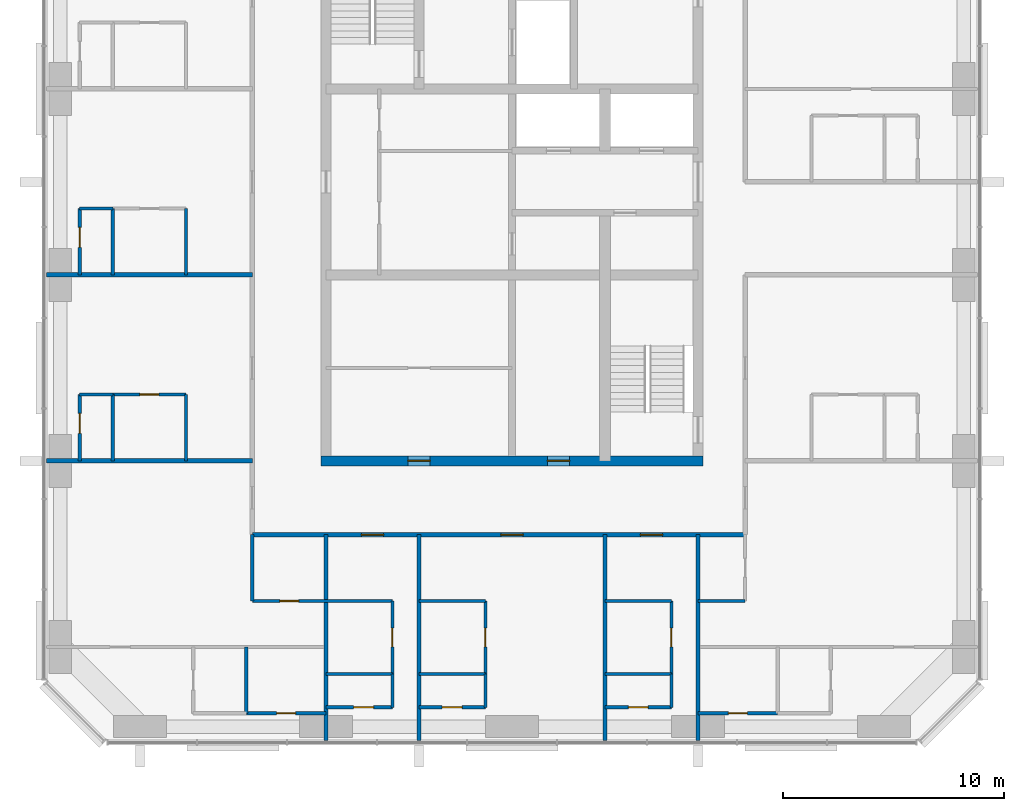
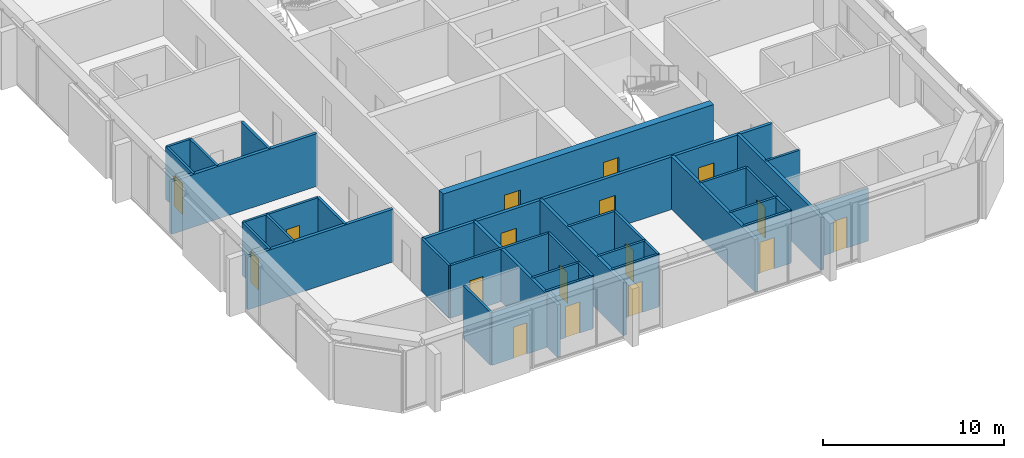
# One storey, part 7 of 12: 37 walls, 17 doors, 17 openings.
"""IFC4 building model written with IfcOpenShell, lengths in metres."""

from ifc_helpers import new_model, si_unit, direction, frame, frame_2d, origin, place, context, subcontext, project, spatial, rectangle, extrude, material, layer, layer_set, type_object, element, fill, save


model = new_model("IFC4")

# Units and contexts
model_context = context("Model", 3, precision=1e-05, world=origin(), true_north=direction((0.0, 1.0)))
body_context = subcontext(model_context, "Body", "Model", "MODEL_VIEW")
ifc_project = project(units=[si_unit("LENGTHUNIT", "METRE"), si_unit("AREAUNIT", "SQUARE_METRE"), si_unit("VOLUMEUNIT", "CUBIC_METRE"), si_unit("PLANEANGLEUNIT", "RADIAN"), si_unit("MASSUNIT", "GRAM", prefix="KILO")], contexts=[model_context])

# Site, building, storey
site_placement = place(None, origin())
site = spatial("IfcSite", under=ifc_project, at=site_placement, CompositionType="ELEMENT")
building_placement = place(site_placement, origin())
building = spatial("IfcBuilding", under=site, at=building_placement, Name="Dunama Terrace Hotel", CompositionType="ELEMENT")
storey_placement = place(building_placement, frame((0.0, 0.0, 245.10009765625)))
storey = spatial("IfcBuildingStorey", under=building, at=storey_placement, Name="L63", CompositionType="ELEMENT", Elevation=245.10009765625)

# Walls
ifc_material_1 = material(Name="Gypsum board partition", Category="masonry")
ifc_layer_1 = layer(ifc_material_1, 0.14990234375)
ifc_layer_set_1 = layer_set([ifc_layer_1], Name="Bathroom partition 150")
wall_type_1 = type_object("IfcWallType", Name="Bathroom partition 150", PredefinedType="PARTITIONING", material=ifc_layer_set_1)
for number, where, z_axis, x_axis, name in (
    (1, (18.875, 16.800048828125, 0.0), (0.0, 0.0, 1.0), (0.0, 1.0, 0.0), "Bathroom partition 150 L63"),
    (2, (18.875, 25.199951171875, 0.0), (0.0, 0.0, 1.0), (0.0, 1.0, 0.0), "Bathroom partition 150 L63"),
    (3, (21.875, 10.47509765625, 0.0), (0.0, 0.0, 1.0), (0.0, 1.0, 0.0), "Bathroom partition 150 L63"),
):
    element("IfcWall", number, at=place(storey_placement, frame(where, z_axis=z_axis, x_axis=x_axis)), inside=storey, type_object=wall_type_1, Name=name, PredefinedType="PARTITIONING", context=body_context, shape_type="SweptSolid", body=[
        extrude(rectangle(XDim=3.0, YDim=0.14990234375, at=frame_2d((1.5, 0.0))), origin(), (0.0, 0.0, 1.0), 3.5498046875),
    ])

# Wall, opening, door
wall_1_placement = place(storey_placement, frame((28.199951171875, 7.175048828125, 0.0), z_axis=(0.0, 0.0, 1.0), x_axis=(0.0, 1.0, 0.0)))
wall_1 = element("IfcWall", 4, at=wall_1_placement, inside=storey, type_object=wall_type_1, Name="Bathroom partition 150 L63", PredefinedType="PARTITIONING", context=body_context, shape_type="SweptSolid", body=[
    extrude(rectangle(XDim=3.300048828125, YDim=0.14990234375, at=frame_2d((1.64990234375, 0.0))), origin(), (0.0, 0.0, 1.0), 3.5498046875),
])
opening_1_placement = place(wall_1_placement, frame((1.22509765625, 0.0, 0.0)))
opening_1 = element("IfcOpeningElement", 5, at=opening_1_placement, cuts=wall_1, Name="Opening L62-64-008", PredefinedType="OPENING", context=body_context, shape_type="SweptSolid", body=[
    extrude(rectangle(XDim=0.85009765625, YDim=2.10009765625, at=frame_2d((0.425048828125, 1.050048828125))), frame((0.0, 0.0849609375, 0.0), z_axis=(0.0, -1.0, 0.0), x_axis=(1.0, 0.0, 0.0)), (0.0, 0.0, 1.0), 0.169921875),
])
ifc_material_2 = material(Name="Timber door with steel frame", Category="steel")
door_type_1 = type_object("IfcDoorType", Name="Bathroom door 850", OperationType="SINGLE_SWING_LEFT", PredefinedType="DOOR", material=ifc_material_2)
door_1_placement = place(opening_1_placement, origin())
door_1 = element("IfcDoor", 6, at=door_1_placement, inside=storey, type_object=door_type_1, Name="Door to en-suite bathroom L62-64-008, type D2", OperationType="SINGLE_SWING_LEFT", OverallHeight=2.10009765625, OverallWidth=0.85009765625, PredefinedType="DOOR", context=body_context, shape_type="SweptSolid", body=[
    extrude(rectangle(XDim=0.85009765625, YDim=2.10009765625, at=frame_2d((0.425048828125, 1.050048828125))), frame((0.0, 0.02490234375, 0.0), z_axis=(0.0, -1.0, 0.0), x_axis=(1.0, 0.0, 0.0)), (0.0, 0.0, 1.0), 0.050048828125),
])
fill(opening_1, door_1)

wall_2_placement = place(storey_placement, frame((32.39990234375, 7.175048828125, 0.0), z_axis=(0.0, 0.0, 1.0), x_axis=(0.0, 1.0, 0.0)))
wall_2 = element("IfcWall", 7, at=wall_2_placement, inside=storey, type_object=wall_type_1, Name="Bathroom partition 150 L63", PredefinedType="PARTITIONING", context=body_context, shape_type="SweptSolid", body=[
    extrude(rectangle(XDim=3.300048828125, YDim=0.14990234375, at=frame_2d((1.64990234375, 0.0))), origin(), (0.0, 0.0, 1.0), 3.5498046875),
])
opening_2_placement = place(wall_2_placement, frame((1.22509765625, 0.0, 0.0)))
opening_2 = element("IfcOpeningElement", 8, at=opening_2_placement, cuts=wall_2, Name="Opening L62-64-011", PredefinedType="OPENING", context=body_context, shape_type="SweptSolid", body=[
    extrude(rectangle(XDim=0.85009765625, YDim=2.10009765625, at=frame_2d((0.425048828125, 1.050048828125))), frame((0.0, 0.0849609375, 0.0), z_axis=(0.0, -1.0, 0.0), x_axis=(1.0, 0.0, 0.0)), (0.0, 0.0, 1.0), 0.169921875),
])
door_2_placement = place(opening_2_placement, origin())
door_2 = element("IfcDoor", 9, at=door_2_placement, inside=storey, type_object=door_type_1, Name="Door to en-suite bathroom L62-64-011, type D2", OperationType="SINGLE_SWING_LEFT", OverallHeight=2.10009765625, OverallWidth=0.85009765625, PredefinedType="DOOR", context=body_context, shape_type="SweptSolid", body=[
    extrude(rectangle(XDim=0.85009765625, YDim=2.10009765625, at=frame_2d((0.425048828125, 1.050048828125))), frame((0.0, 0.02490234375, 0.0), z_axis=(0.0, -1.0, 0.0), x_axis=(1.0, 0.0, 0.0)), (0.0, 0.0, 1.0), 0.050048828125),
])
fill(opening_2, door_2)

wall_3_placement = place(storey_placement, frame((40.800048828125, 7.175048828125, 0.0), z_axis=(0.0, 0.0, 1.0), x_axis=(0.0, 1.0, 0.0)))
wall_3 = element("IfcWall", 10, at=wall_3_placement, inside=storey, type_object=wall_type_1, Name="Bathroom partition 150 L63", PredefinedType="PARTITIONING", context=body_context, shape_type="SweptSolid", body=[
    extrude(rectangle(XDim=3.300048828125, YDim=0.14990234375, at=frame_2d((1.64990234375, 0.0))), origin(), (0.0, 0.0, 1.0), 3.5498046875),
])
opening_3_placement = place(wall_3_placement, frame((1.22509765625, 0.0, 0.0)))
opening_3 = element("IfcOpeningElement", 11, at=opening_3_placement, cuts=wall_3, Name="Opening L62-64-014", PredefinedType="OPENING", context=body_context, shape_type="SweptSolid", body=[
    extrude(rectangle(XDim=0.85009765625, YDim=2.10009765625, at=frame_2d((0.425048828125, 1.050048828125))), frame((0.0, 0.0849609375, 0.0), z_axis=(0.0, -1.0, 0.0), x_axis=(1.0, 0.0, 0.0)), (0.0, 0.0, 1.0), 0.169921875),
])
door_3_placement = place(opening_3_placement, origin())
door_3 = element("IfcDoor", 12, at=door_3_placement, inside=storey, type_object=door_type_1, Name="Door to en-suite bathroom L62-64-014, type D2", OperationType="SINGLE_SWING_LEFT", OverallHeight=2.10009765625, OverallWidth=0.85009765625, PredefinedType="DOOR", context=body_context, shape_type="SweptSolid", body=[
    extrude(rectangle(XDim=0.85009765625, YDim=2.10009765625, at=frame_2d((0.425048828125, 1.050048828125))), frame((0.0, 0.02490234375, 0.0), z_axis=(0.0, -1.0, 0.0), x_axis=(1.0, 0.0, 0.0)), (0.0, 0.0, 1.0), 0.050048828125),
])
fill(opening_3, door_3)

wall_4_placement = place(storey_placement, frame((21.60009765625, 5.39990234375, 0.0), z_axis=(0.0, 0.0, 1.0), x_axis=(1.0, 0.0, 0.0)))
wall_4 = element("IfcWall", 13, at=wall_4_placement, inside=storey, type_object=wall_type_1, Name="Bathroom partition 150 L63", PredefinedType="PARTITIONING", context=body_context, shape_type="SweptSolid", body=[
    extrude(rectangle(XDim=3.599853515625, YDim=0.14990234375, at=frame_2d((1.7998046875, 0.0))), origin(), (0.0, 0.0, 1.0), 3.5498046875),
])
opening_4_placement = place(wall_4_placement, frame((1.375, 0.0, 0.0)))
opening_4 = element("IfcOpeningElement", 14, at=opening_4_placement, cuts=wall_4, Name="Opening L62-64-044", PredefinedType="OPENING", context=body_context, shape_type="SweptSolid", body=[
    extrude(rectangle(XDim=0.85009765625, YDim=2.10009765625, at=frame_2d((0.425048828125, 1.050048828125))), frame((0.0, 0.0849609375, 0.0), z_axis=(0.0, -1.0, 0.0), x_axis=(1.0, 0.0, 0.0)), (0.0, 0.0, 1.0), 0.169921875),
])
door_4_placement = place(opening_4_placement, origin())
door_4 = element("IfcDoor", 15, at=door_4_placement, inside=storey, type_object=door_type_1, Name="Door to en-suite bathroom L62-64-044, type D2", OperationType="SINGLE_SWING_RIGHT", OverallHeight=2.10009765625, OverallWidth=0.85009765625, PredefinedType="DOOR", context=body_context, shape_type="SweptSolid", body=[
    extrude(rectangle(XDim=0.85009765625, YDim=2.10009765625, at=frame_2d((0.425048828125, 1.050048828125))), frame((0.0, 0.02490234375, 0.0), z_axis=(0.0, -1.0, 0.0), x_axis=(1.0, 0.0, 0.0)), (0.0, 0.0, 1.0), 0.050048828125),
])
fill(opening_4, door_4)

wall_5_placement = place(storey_placement, frame((42.0, 5.39990234375, 0.0), z_axis=(0.0, 0.0, 1.0), x_axis=(1.0, 0.0, 0.0)))
wall_5 = element("IfcWall", 16, at=wall_5_placement, inside=storey, type_object=wall_type_1, Name="Bathroom partition 150 L63", PredefinedType="PARTITIONING", context=body_context, shape_type="SweptSolid", body=[
    extrude(rectangle(XDim=3.60009765625, YDim=0.14990234375, at=frame_2d((1.800048828125, 0.0))), origin(), (0.0, 0.0, 1.0), 3.5498046875),
])
opening_5_placement = place(wall_5_placement, frame((1.375, 0.0, 0.0)))
opening_5 = element("IfcOpeningElement", 17, at=opening_5_placement, cuts=wall_5, Name="Opening L62-64-049", PredefinedType="OPENING", context=body_context, shape_type="SweptSolid", body=[
    extrude(rectangle(XDim=0.85009765625, YDim=2.10009765625, at=frame_2d((0.425048828125, 1.050048828125))), frame((0.0, 0.0849609375, 0.0), z_axis=(0.0, -1.0, 0.0), x_axis=(1.0, 0.0, 0.0)), (0.0, 0.0, 1.0), 0.169921875),
])
door_5_placement = place(opening_5_placement, origin())
door_5 = element("IfcDoor", 18, at=door_5_placement, inside=storey, type_object=door_type_1, Name="Door to en-suite bathroom L62-64-049, type D2", OperationType="SINGLE_SWING_LEFT", OverallHeight=2.10009765625, OverallWidth=0.85009765625, PredefinedType="DOOR", context=body_context, shape_type="SweptSolid", body=[
    extrude(rectangle(XDim=0.85009765625, YDim=2.10009765625, at=frame_2d((0.425048828125, 1.050048828125))), frame((0.0, 0.02490234375, 0.0), z_axis=(0.0, -1.0, 0.0), x_axis=(1.0, 0.0, 0.0)), (0.0, 0.0, 1.0), 0.050048828125),
])
fill(opening_5, door_5)

wall_6_placement = place(storey_placement, frame((21.875, 10.47509765625, 0.0), z_axis=(0.0, 0.0, 1.0), x_axis=(1.0, 0.0, 0.0)))
wall_6 = element("IfcWall", 19, at=wall_6_placement, inside=storey, type_object=wall_type_1, Name="Bathroom partition 150 L63", PredefinedType="PARTITIONING", context=body_context, shape_type="SweptSolid", body=[
    extrude(rectangle(XDim=6.324951171875, YDim=0.14990234375, at=frame_2d((3.16259765625, 0.0))), origin(), (0.0, 0.0, 1.0), 3.5498046875),
])
opening_6_placement = place(wall_6_placement, frame((1.238037109375, 0.0, 0.0)))
opening_6 = element("IfcOpeningElement", 20, at=opening_6_placement, cuts=wall_6, Name="Opening L62-64-042", PredefinedType="OPENING", context=body_context, shape_type="SweptSolid", body=[
    extrude(rectangle(XDim=0.85009765625, YDim=2.10009765625, at=frame_2d((0.425048828125, 1.050048828125))), frame((0.0, 0.0849609375, 0.0), z_axis=(0.0, -1.0, 0.0), x_axis=(1.0, 0.0, 0.0)), (0.0, 0.0, 1.0), 0.169921875),
])
door_6_placement = place(opening_6_placement, origin())
door_6 = element("IfcDoor", 21, at=door_6_placement, inside=storey, type_object=door_type_1, Name="Door to powder room L62-64-042, type D2", OperationType="SINGLE_SWING_RIGHT", OverallHeight=2.10009765625, OverallWidth=0.85009765625, PredefinedType="DOOR", context=body_context, shape_type="SweptSolid", body=[
    extrude(rectangle(XDim=0.85009765625, YDim=2.10009765625, at=frame_2d((0.425048828125, 1.050048828125))), frame((0.0, 0.02490234375, 0.0), z_axis=(0.0, -1.0, 0.0), x_axis=(1.0, 0.0, 0.0)), (0.0, 0.0, 1.0), 0.050048828125),
])
fill(opening_6, door_6)

# Walls
for number, where, z_axis, x_axis, name in (
    (22, (29.39990234375, 10.47509765625, 0.0), (0.0, 0.0, 1.0), (1.0, 0.0, 0.0), "Bathroom partition 150 L63"),
    (23, (37.800048828125, 10.47509765625, 0.0), (0.0, 0.0, 1.0), (1.0, 0.0, 0.0), "Bathroom partition 150 L63"),
):
    element("IfcWall", number, at=place(storey_placement, frame(where, z_axis=z_axis, x_axis=x_axis)), inside=storey, type_object=wall_type_1, Name=name, PredefinedType="PARTITIONING", context=body_context, shape_type="SweptSolid", body=[
        extrude(rectangle(XDim=3.0, YDim=0.14990234375, at=frame_2d((1.5, 0.0))), origin(), (0.0, 0.0, 1.0), 3.5498046875),
    ])
wall_7_placement = place(storey_placement, frame((42.0, 10.47509765625, 0.0), z_axis=(0.0, 0.0, 1.0), x_axis=(1.0, 0.0, 0.0)))
element("IfcWall", 24, at=wall_7_placement, inside=storey, type_object=wall_type_1, Name="Bathroom partition 150 L63", PredefinedType="PARTITIONING", context=body_context, shape_type="SweptSolid", body=[
    extrude(rectangle(XDim=2.125, YDim=0.14990234375, at=frame_2d((1.0625, 0.0))), origin(), (0.0, 0.0, 1.0), 3.5498046875),
])

# Wall, opening, door
wall_8_placement = place(storey_placement, frame((15.574951171875, 19.800048828125, 0.0), z_axis=(0.0, 0.0, 1.0), x_axis=(1.0, 0.0, 0.0)))
wall_8 = element("IfcWall", 25, at=wall_8_placement, inside=storey, type_object=wall_type_1, Name="Bathroom partition 150 L63", PredefinedType="PARTITIONING", context=body_context, shape_type="SweptSolid", body=[
    extrude(rectangle(XDim=3.300048828125, YDim=0.14990234375, at=frame_2d((1.64990234375, 0.0))), origin(), (0.0, 0.0, 1.0), 3.5498046875),
])
opening_7_placement = place(wall_8_placement, frame((1.22509765625, 0.0, 0.0)))
opening_7 = element("IfcOpeningElement", 26, at=opening_7_placement, cuts=wall_8, Name="Opening L62-64-033", PredefinedType="OPENING", context=body_context, shape_type="SweptSolid", body=[
    extrude(rectangle(XDim=0.85009765625, YDim=2.10009765625, at=frame_2d((0.425048828125, 1.050048828125))), frame((0.0, 0.0849609375, 0.0), z_axis=(0.0, -1.0, 0.0), x_axis=(1.0, 0.0, 0.0)), (0.0, 0.0, 1.0), 0.169921875),
])
door_7_placement = place(opening_7_placement, frame((0.85009765625, 0.0, 0.0), z_axis=(0.0, 0.0, 1.0), x_axis=(-1.0, 0.0, 0.0)))
door_7 = element("IfcDoor", 27, at=door_7_placement, inside=storey, type_object=door_type_1, Name="Door to en-suite bathroom L62-64-033, type D2", OperationType="SINGLE_SWING_LEFT", OverallHeight=2.10009765625, OverallWidth=0.85009765625, PredefinedType="DOOR", context=body_context, shape_type="SweptSolid", body=[
    extrude(rectangle(XDim=0.85009765625, YDim=2.10009765625, at=frame_2d((0.425048828125, 1.050048828125))), frame((0.0, 0.025146484375, 0.0), z_axis=(0.0, -1.0, 0.0), x_axis=(1.0, 0.0, 0.0)), (0.0, 0.0, 1.0), 0.050048828125),
])
fill(opening_7, door_7)

# Wall, openings, doors
ifc_material_3 = material(Name="Concrete C50/60", Category="concrete")
ifc_layer_2 = layer(ifc_material_3, 0.449951171875)
ifc_layer_set_2 = layer_set([ifc_layer_2], Name="Core wall 450")
wall_type_2 = type_object("IfcWallType", Name="Core wall 450", PredefinedType="SHEAR", material=ifc_layer_set_2)
wall_9_placement = place(storey_placement, frame((24.97509765625, 16.800048828125, -0.35009765625), z_axis=(0.0, 0.0, 1.0), x_axis=(1.0, 0.0, 0.0)))
wall_9 = element("IfcWall", 28, at=wall_9_placement, inside=storey, type_object=wall_type_2, Name="Core wall south L63", PredefinedType="SHEAR", context=body_context, shape_type="SweptSolid", body=[
    extrude(rectangle(XDim=17.25, YDim=0.449951171875, at=frame_2d((8.625, 0.0))), origin(), (0.0, 0.0, 1.0), 3.89990234375),
])
opening_8_placement = place(wall_9_placement, frame((3.925048828125, 0.0, 0.35009765625)))
opening_8 = element("IfcOpeningElement", 29, at=opening_8_placement, cuts=wall_9, Name="Opening L62-64-069", PredefinedType="OPENING", context=body_context, shape_type="SweptSolid", body=[
    extrude(rectangle(XDim=1.0, YDim=2.10009765625, at=frame_2d((0.5, 1.050048828125))), frame((0.0, 0.23486328125, 0.0), z_axis=(0.0, -1.0, 0.0), x_axis=(1.0, 0.0, 0.0)), (0.0, 0.0, 1.0), 0.469970703125),
])
opening_9_placement = place(wall_9_placement, frame((10.22509765625, 0.0, 0.35009765625)))
opening_9 = element("IfcOpeningElement", 30, at=opening_9_placement, cuts=wall_9, Name="Opening L62-64-071", PredefinedType="OPENING", context=body_context, shape_type="SweptSolid", body=[
    extrude(rectangle(XDim=1.0, YDim=2.10009765625, at=frame_2d((0.5, 1.050048828125))), frame((0.0, 0.23486328125, 0.0), z_axis=(0.0, -1.0, 0.0), x_axis=(1.0, 0.0, 0.0)), (0.0, 0.0, 1.0), 0.469970703125),
])
ifc_material_4 = material(Name="Timber door with steel frame", Category="steel")
door_type_2 = type_object("IfcDoorType", Name="Service door 1000", OperationType="SINGLE_SWING_LEFT", PredefinedType="DOOR", material=ifc_material_4)
door_8_placement = place(opening_8_placement, origin())
door_8 = element("IfcDoor", 31, at=door_8_placement, inside=storey, type_object=door_type_2, Name="Door to corridor air handling room L62-64-069, type D7", OperationType="SINGLE_SWING_LEFT", OverallHeight=2.10009765625, OverallWidth=1.0, PredefinedType="DOOR", context=body_context, shape_type="SweptSolid", body=[
    extrude(rectangle(XDim=1.0, YDim=2.10009765625, at=frame_2d((0.5, 1.050048828125))), frame((0.0, 0.02490234375, 0.0), z_axis=(0.0, -1.0, 0.0), x_axis=(1.0, 0.0, 0.0)), (0.0, 0.0, 1.0), 0.050048828125),
])
fill(opening_8, door_8)
door_9_placement = place(opening_9_placement, origin())
door_9 = element("IfcDoor", 32, at=door_9_placement, inside=storey, type_object=door_type_2, Name="Door to water riser room L62-64-071, type D7", OperationType="SINGLE_SWING_RIGHT", OverallHeight=2.10009765625, OverallWidth=1.0, PredefinedType="DOOR", context=body_context, shape_type="SweptSolid", body=[
    extrude(rectangle(XDim=1.0, YDim=2.10009765625, at=frame_2d((0.5, 1.050048828125))), frame((0.0, 0.02490234375, 0.0), z_axis=(0.0, -1.0, 0.0), x_axis=(1.0, 0.0, 0.0)), (0.0, 0.0, 1.0), 0.050048828125),
])
fill(opening_9, door_9)

ifc_material_5 = material(Name="Concrete blockwork", Category="masonry")
ifc_layer_3 = layer(ifc_material_5, 0.199951171875)
ifc_layer_set_3 = layer_set([ifc_layer_3], Name="Corridor partition 200")
wall_type_3 = type_object("IfcWallType", Name="Corridor partition 200", PredefinedType="PARTITIONING", material=ifc_layer_set_3)
wall_10_placement = place(storey_placement, frame((44.125, 13.47509765625, 0.0), z_axis=(0.0, 0.0, 1.0), x_axis=(-1.0, 0.0, 0.0)))
wall_10 = element("IfcWall", 33, at=wall_10_placement, inside=storey, type_object=wall_type_3, Name="Corridor partition 200 L63", PredefinedType="PARTITIONING", context=body_context, shape_type="SweptSolid", body=[
    extrude(rectangle(XDim=22.25, YDim=0.199951171875, at=frame_2d((11.125, 0.0))), origin(), (0.0, 0.0, 1.0), 3.5498046875),
])
opening_10_placement = place(wall_10_placement, frame((16.324951171875, 0.0, 0.0)))
opening_10 = element("IfcOpeningElement", 34, at=opening_10_placement, cuts=wall_10, Name="Opening L62-64-007", PredefinedType="OPENING", context=body_context, shape_type="SweptSolid", body=[
    extrude(rectangle(XDim=1.0, YDim=2.199951171875, at=frame_2d((0.5, 1.10009765625))), frame((0.0, 0.10986328125, 0.0), z_axis=(0.0, -1.0, 0.0), x_axis=(1.0, 0.0, 0.0)), (0.0, 0.0, 1.0), 0.219970703125),
])
opening_11_placement = place(wall_10_placement, frame((10.02490234375, 0.0, 0.0)))
opening_11 = element("IfcOpeningElement", 35, at=opening_11_placement, cuts=wall_10, Name="Opening L62-64-010", PredefinedType="OPENING", context=body_context, shape_type="SweptSolid", body=[
    extrude(rectangle(XDim=1.0, YDim=2.199951171875, at=frame_2d((0.5, 1.10009765625))), frame((0.0, 0.10986328125, 0.0), z_axis=(0.0, -1.0, 0.0), x_axis=(1.0, 0.0, 0.0)), (0.0, 0.0, 1.0), 0.219970703125),
])
opening_12_placement = place(wall_10_placement, frame((3.72509765625, 0.0, 0.0)))
opening_12 = element("IfcOpeningElement", 36, at=opening_12_placement, cuts=wall_10, Name="Opening L62-64-013", PredefinedType="OPENING", context=body_context, shape_type="SweptSolid", body=[
    extrude(rectangle(XDim=1.0, YDim=2.199951171875, at=frame_2d((0.5, 1.10009765625))), frame((0.0, 0.10986328125, 0.0), z_axis=(0.0, -1.0, 0.0), x_axis=(1.0, 0.0, 0.0)), (0.0, 0.0, 1.0), 0.219970703125),
])
ifc_material_6 = material(Name="Timber door with steel frame", Category="steel")
door_type_3 = type_object("IfcDoorType", Name="Guest room door 1000", OperationType="SINGLE_SWING_LEFT", PredefinedType="DOOR", material=ifc_material_6)
door_10_placement = place(opening_10_placement, origin())
door_10 = element("IfcDoor", 37, at=door_10_placement, inside=storey, type_object=door_type_3, Name="Door to studio suite L62-64-007, type D1", OperationType="SINGLE_SWING_LEFT", OverallHeight=2.199951171875, OverallWidth=1.0, PredefinedType="DOOR", context=body_context, shape_type="SweptSolid", body=[
    extrude(rectangle(XDim=1.0, YDim=2.199951171875, at=frame_2d((0.5, 1.10009765625))), frame((0.0, 0.02490234375, 0.0), z_axis=(0.0, -1.0, 0.0), x_axis=(1.0, 0.0, 0.0)), (0.0, 0.0, 1.0), 0.050048828125),
])
fill(opening_10, door_10)
door_11_placement = place(opening_11_placement, origin())
door_11 = element("IfcDoor", 38, at=door_11_placement, inside=storey, type_object=door_type_3, Name="Door to junior suite L62-64-010, type D1", OperationType="SINGLE_SWING_RIGHT", OverallHeight=2.199951171875, OverallWidth=1.0, PredefinedType="DOOR", context=body_context, shape_type="SweptSolid", body=[
    extrude(rectangle(XDim=1.0, YDim=2.199951171875, at=frame_2d((0.5, 1.10009765625))), frame((0.0, 0.02490234375, 0.0), z_axis=(0.0, -1.0, 0.0), x_axis=(1.0, 0.0, 0.0)), (0.0, 0.0, 1.0), 0.050048828125),
])
fill(opening_11, door_11)
door_12_placement = place(opening_12_placement, origin())
door_12 = element("IfcDoor", 39, at=door_12_placement, inside=storey, type_object=door_type_3, Name="Door to studio suite L62-64-013, type D1", OperationType="SINGLE_SWING_LEFT", OverallHeight=2.199951171875, OverallWidth=1.0, PredefinedType="DOOR", context=body_context, shape_type="SweptSolid", body=[
    extrude(rectangle(XDim=1.0, YDim=2.199951171875, at=frame_2d((0.5, 1.10009765625))), frame((0.0, 0.02490234375, 0.0), z_axis=(0.0, -1.0, 0.0), x_axis=(1.0, 0.0, 0.0)), (0.0, 0.0, 1.0), 0.050048828125),
])
fill(opening_12, door_12)

# Walls
ifc_material_7 = material(Name="Concrete blockwork", Category="masonry")
ifc_layer_4 = layer(ifc_material_7, 0.199951171875)
ifc_layer_set_4 = layer_set([ifc_layer_4], Name="Party wall 200")
wall_type_4 = type_object("IfcWallType", Name="Party wall 200", PredefinedType="PARTITIONING", material=ifc_layer_set_4)
for number, where, z_axis, x_axis, name in (
    (40, (25.199951171875, 4.181884765625, 0.0), (0.0, 0.0, 1.0), (0.0, 1.0, 0.0), "Party wall 200 L63"),
    (41, (29.39990234375, 4.181884765625, 0.0), (0.0, 0.0, 1.0), (0.0, 1.0, 0.0), "Party wall 200 L63"),
    (42, (37.800048828125, 4.181884765625, 0.0), (0.0, 0.0, 1.0), (0.0, 1.0, 0.0), "Party wall 200 L63"),
    (43, (42.0, 4.181884765625, 0.0), (0.0, 0.0, 1.0), (0.0, 1.0, 0.0), "Party wall 200 L63"),
):
    element("IfcWall", number, at=place(storey_placement, frame(where, z_axis=z_axis, x_axis=x_axis)), inside=storey, type_object=wall_type_4, Name=name, PredefinedType="PARTITIONING", context=body_context, shape_type="SweptSolid", body=[
        extrude(rectangle(XDim=9.293212890625, YDim=0.199951171875, at=frame_2d((4.646484375, 0.0))), origin(), (0.0, 0.0, 1.0), 3.5498046875),
    ])
for number, where, z_axis, x_axis, name in (
    (44, (12.58203125, 16.800048828125, 0.0), (0.0, 0.0, 1.0), (1.0, 0.0, 0.0), "Party wall 200 L63"),
    (45, (12.58203125, 25.199951171875, 0.0), (0.0, 0.0, 1.0), (1.0, 0.0, 0.0), "Party wall 200 L63"),
):
    element("IfcWall", number, at=place(storey_placement, frame(where, z_axis=z_axis, x_axis=x_axis)), inside=storey, type_object=wall_type_4, Name=name, PredefinedType="PARTITIONING", context=body_context, shape_type="SweptSolid", body=[
        extrude(rectangle(XDim=9.29296875, YDim=0.199951171875, at=frame_2d((4.646484375, 0.0))), origin(), (0.0, 0.0, 1.0), 3.5498046875),
    ])

# Wall, opening, door
ifc_material_8 = material(Name="Gypsum board partition", Category="masonry")
ifc_layer_5 = layer(ifc_material_8, 0.14990234375)
ifc_layer_set_5 = layer_set([ifc_layer_5], Name="Room partition 150")
wall_type_5 = type_object("IfcWallType", Name="Room partition 150", PredefinedType="PARTITIONING", material=ifc_layer_set_5)
wall_11_placement = place(storey_placement, frame((14.074951171875, 16.800048828125, 0.0), z_axis=(0.0, 0.0, 1.0), x_axis=(0.0, 1.0, 0.0)))
wall_11 = element("IfcWall", 46, at=wall_11_placement, inside=storey, type_object=wall_type_5, Name="Room partition 150 L63", PredefinedType="PARTITIONING", context=body_context, shape_type="SweptSolid", body=[
    extrude(rectangle(XDim=3.0, YDim=0.14990234375, at=frame_2d((1.5, 0.0))), origin(), (0.0, 0.0, 1.0), 3.5498046875),
])
opening_13_placement = place(wall_11_placement, frame((1.25, 0.0, 0.0)))
opening_13 = element("IfcOpeningElement", 47, at=opening_13_placement, cuts=wall_11, Name="Opening L62-64-034", PredefinedType="OPENING", context=body_context, shape_type="SweptSolid", body=[
    extrude(rectangle(XDim=0.89990234375, YDim=2.10009765625, at=frame_2d((0.449951171875, 1.050048828125))), frame((0.0, 0.0849609375, 0.0), z_axis=(0.0, -1.0, 0.0), x_axis=(1.0, 0.0, 0.0)), (0.0, 0.0, 1.0), 0.169921875),
])
ifc_material_9 = material(Name="Timber door with steel frame", Category="steel")
door_type_4 = type_object("IfcDoorType", Name="Suite internal door 900", OperationType="SINGLE_SWING_LEFT", PredefinedType="DOOR", material=ifc_material_9)
door_13_placement = place(opening_13_placement, frame((0.89990234375, 0.0, 0.0), z_axis=(0.0, 0.0, 1.0), x_axis=(-1.0, 0.0, 0.0)))
door_13 = element("IfcDoor", 48, at=door_13_placement, inside=storey, type_object=door_type_4, Name="Door to walk-in wardrobe L62-64-034, type D16", OperationType="SINGLE_SWING_RIGHT", OverallHeight=2.10009765625, OverallWidth=0.89990234375, PredefinedType="DOOR", context=body_context, shape_type="SweptSolid", body=[
    extrude(rectangle(XDim=0.89990234375, YDim=2.10009765625, at=frame_2d((0.449951171875, 1.050048828125))), frame((0.0, 0.025146484375, 0.0), z_axis=(0.0, -1.0, 0.0), x_axis=(1.0, 0.0, 0.0)), (0.0, 0.0, 1.0), 0.050048828125),
])
fill(opening_13, door_13)

wall_12_placement = place(storey_placement, frame((14.074951171875, 25.199951171875, 0.0), z_axis=(0.0, 0.0, 1.0), x_axis=(0.0, 1.0, 0.0)))
wall_12 = element("IfcWall", 49, at=wall_12_placement, inside=storey, type_object=wall_type_5, Name="Room partition 150 L63", PredefinedType="PARTITIONING", context=body_context, shape_type="SweptSolid", body=[
    extrude(rectangle(XDim=3.0, YDim=0.14990234375, at=frame_2d((1.5, 0.0))), origin(), (0.0, 0.0, 1.0), 3.5498046875),
])
opening_14_placement = place(wall_12_placement, frame((1.25, 0.0, 0.0)))
opening_14 = element("IfcOpeningElement", 50, at=opening_14_placement, cuts=wall_12, Name="Opening L62-64-037", PredefinedType="OPENING", context=body_context, shape_type="SweptSolid", body=[
    extrude(rectangle(XDim=0.89990234375, YDim=2.10009765625, at=frame_2d((0.449951171875, 1.050048828125))), frame((0.0, 0.0849609375, 0.0), z_axis=(0.0, -1.0, 0.0), x_axis=(1.0, 0.0, 0.0)), (0.0, 0.0, 1.0), 0.169921875),
])
door_14_placement = place(opening_14_placement, frame((0.89990234375, 0.0, 0.0), z_axis=(0.0, 0.0, 1.0), x_axis=(-1.0, 0.0, 0.0)))
door_14 = element("IfcDoor", 51, at=door_14_placement, inside=storey, type_object=door_type_4, Name="Door to walk-in wardrobe L62-64-037, type D16", OperationType="SINGLE_SWING_RIGHT", OverallHeight=2.10009765625, OverallWidth=0.89990234375, PredefinedType="DOOR", context=body_context, shape_type="SweptSolid", body=[
    extrude(rectangle(XDim=0.89990234375, YDim=2.10009765625, at=frame_2d((0.449951171875, 1.050048828125))), frame((0.0, 0.025146484375, 0.0), z_axis=(0.0, -1.0, 0.0), x_axis=(1.0, 0.0, 0.0)), (0.0, 0.0, 1.0), 0.050048828125),
])
fill(opening_14, door_14)

# Walls
for number, where, z_axis, x_axis, name in (
    (52, (15.574951171875, 16.800048828125, 0.0), (0.0, 0.0, 1.0), (0.0, 1.0, 0.0), "Room partition 150 L63"),
    (53, (15.574951171875, 25.199951171875, 0.0), (0.0, 0.0, 1.0), (0.0, 1.0, 0.0), "Room partition 150 L63"),
    (54, (21.60009765625, 5.39990234375, 0.0), (0.0, 0.0, 1.0), (0.0, 1.0, 0.0), "Room partition 150 L63"),
):
    element("IfcWall", number, at=place(storey_placement, frame(where, z_axis=z_axis, x_axis=x_axis)), inside=storey, type_object=wall_type_5, Name=name, PredefinedType="PARTITIONING", context=body_context, shape_type="SweptSolid", body=[
        extrude(rectangle(XDim=3.0, YDim=0.14990234375, at=frame_2d((1.5, 0.0))), origin(), (0.0, 0.0, 1.0), 3.5498046875),
    ])
for number, where, z_axis, x_axis, name in (
    (55, (28.199951171875, 5.675048828125, 0.0), (0.0, 0.0, 1.0), (0.0, 1.0, 0.0), "Room partition 150 L63"),
    (56, (32.39990234375, 5.675048828125, 0.0), (0.0, 0.0, 1.0), (0.0, 1.0, 0.0), "Room partition 150 L63"),
    (57, (40.800048828125, 5.675048828125, 0.0), (0.0, 0.0, 1.0), (0.0, 1.0, 0.0), "Room partition 150 L63"),
):
    element("IfcWall", number, at=place(storey_placement, frame(where, z_axis=z_axis, x_axis=x_axis)), inside=storey, type_object=wall_type_5, Name=name, PredefinedType="PARTITIONING", context=body_context, shape_type="SweptSolid", body=[
        extrude(rectangle(XDim=1.5, YDim=0.14990234375, at=frame_2d((0.75, 0.0))), origin(), (0.0, 0.0, 1.0), 3.5498046875),
    ])

# Wall, opening, door
wall_13_placement = place(storey_placement, frame((25.199951171875, 5.675048828125, 0.0), z_axis=(0.0, 0.0, 1.0), x_axis=(1.0, 0.0, 0.0)))
wall_13 = element("IfcWall", 58, at=wall_13_placement, inside=storey, type_object=wall_type_5, Name="Room partition 150 L63", PredefinedType="PARTITIONING", context=body_context, shape_type="SweptSolid", body=[
    extrude(rectangle(XDim=3.0, YDim=0.14990234375, at=frame_2d((1.5, 0.0))), origin(), (0.0, 0.0, 1.0), 3.5498046875),
])
opening_15_placement = place(wall_13_placement, frame((1.25, 0.0, 0.0)))
opening_15 = element("IfcOpeningElement", 59, at=opening_15_placement, cuts=wall_13, Name="Opening L62-64-009", PredefinedType="OPENING", context=body_context, shape_type="SweptSolid", body=[
    extrude(rectangle(XDim=0.89990234375, YDim=2.10009765625, at=frame_2d((0.449951171875, 1.050048828125))), frame((0.0, 0.0849609375, 0.0), z_axis=(0.0, -1.0, 0.0), x_axis=(1.0, 0.0, 0.0)), (0.0, 0.0, 1.0), 0.169921875),
])
door_15_placement = place(opening_15_placement, origin())
door_15 = element("IfcDoor", 60, at=door_15_placement, inside=storey, type_object=door_type_4, Name="Door to walk-in wardrobe L62-64-009, type D16", OperationType="SINGLE_SWING_LEFT", OverallHeight=2.10009765625, OverallWidth=0.89990234375, PredefinedType="DOOR", context=body_context, shape_type="SweptSolid", body=[
    extrude(rectangle(XDim=0.89990234375, YDim=2.10009765625, at=frame_2d((0.449951171875, 1.050048828125))), frame((0.0, 0.02490234375, 0.0), z_axis=(0.0, -1.0, 0.0), x_axis=(1.0, 0.0, 0.0)), (0.0, 0.0, 1.0), 0.050048828125),
])
fill(opening_15, door_15)

wall_14_placement = place(storey_placement, frame((29.39990234375, 5.675048828125, 0.0), z_axis=(0.0, 0.0, 1.0), x_axis=(1.0, 0.0, 0.0)))
wall_14 = element("IfcWall", 61, at=wall_14_placement, inside=storey, type_object=wall_type_5, Name="Room partition 150 L63", PredefinedType="PARTITIONING", context=body_context, shape_type="SweptSolid", body=[
    extrude(rectangle(XDim=3.0, YDim=0.14990234375, at=frame_2d((1.5, 0.0))), origin(), (0.0, 0.0, 1.0), 3.5498046875),
])
opening_16_placement = place(wall_14_placement, frame((1.050048828125, 0.0, 0.0)))
opening_16 = element("IfcOpeningElement", 62, at=opening_16_placement, cuts=wall_14, Name="Opening L62-64-012", PredefinedType="OPENING", context=body_context, shape_type="SweptSolid", body=[
    extrude(rectangle(XDim=0.89990234375, YDim=2.10009765625, at=frame_2d((0.449951171875, 1.050048828125))), frame((0.0, 0.0849609375, 0.0), z_axis=(0.0, -1.0, 0.0), x_axis=(1.0, 0.0, 0.0)), (0.0, 0.0, 1.0), 0.169921875),
])
door_16_placement = place(opening_16_placement, origin())
door_16 = element("IfcDoor", 63, at=door_16_placement, inside=storey, type_object=door_type_4, Name="Door to walk-in wardrobe L62-64-012, type D16", OperationType="SINGLE_SWING_LEFT", OverallHeight=2.10009765625, OverallWidth=0.89990234375, PredefinedType="DOOR", context=body_context, shape_type="SweptSolid", body=[
    extrude(rectangle(XDim=0.89990234375, YDim=2.10009765625, at=frame_2d((0.449951171875, 1.050048828125))), frame((0.0, 0.02490234375, 0.0), z_axis=(0.0, -1.0, 0.0), x_axis=(1.0, 0.0, 0.0)), (0.0, 0.0, 1.0), 0.050048828125),
])
fill(opening_16, door_16)

wall_15_placement = place(storey_placement, frame((37.800048828125, 5.675048828125, 0.0), z_axis=(0.0, 0.0, 1.0), x_axis=(1.0, 0.0, 0.0)))
wall_15 = element("IfcWall", 64, at=wall_15_placement, inside=storey, type_object=wall_type_5, Name="Room partition 150 L63", PredefinedType="PARTITIONING", context=body_context, shape_type="SweptSolid", body=[
    extrude(rectangle(XDim=3.0, YDim=0.14990234375, at=frame_2d((1.5, 0.0))), origin(), (0.0, 0.0, 1.0), 3.5498046875),
])
opening_17_placement = place(wall_15_placement, frame((1.050048828125, 0.0, 0.0)))
opening_17 = element("IfcOpeningElement", 65, at=opening_17_placement, cuts=wall_15, Name="Opening L62-64-015", PredefinedType="OPENING", context=body_context, shape_type="SweptSolid", body=[
    extrude(rectangle(XDim=0.89990234375, YDim=2.10009765625, at=frame_2d((0.449951171875, 1.050048828125))), frame((0.0, 0.0849609375, 0.0), z_axis=(0.0, -1.0, 0.0), x_axis=(1.0, 0.0, 0.0)), (0.0, 0.0, 1.0), 0.169921875),
])
door_17_placement = place(opening_17_placement, origin())
door_17 = element("IfcDoor", 66, at=door_17_placement, inside=storey, type_object=door_type_4, Name="Door to walk-in wardrobe L62-64-015, type D16", OperationType="SINGLE_SWING_LEFT", OverallHeight=2.10009765625, OverallWidth=0.89990234375, PredefinedType="DOOR", context=body_context, shape_type="SweptSolid", body=[
    extrude(rectangle(XDim=0.89990234375, YDim=2.10009765625, at=frame_2d((0.449951171875, 1.050048828125))), frame((0.0, 0.02490234375, 0.0), z_axis=(0.0, -1.0, 0.0), x_axis=(1.0, 0.0, 0.0)), (0.0, 0.0, 1.0), 0.050048828125),
])
fill(opening_17, door_17)

# Walls
for number, where, z_axis, x_axis, name in (
    (67, (25.199951171875, 7.175048828125, 0.0), (0.0, 0.0, 1.0), (1.0, 0.0, 0.0), "Room partition 150 L63"),
    (68, (29.39990234375, 7.175048828125, 0.0), (0.0, 0.0, 1.0), (1.0, 0.0, 0.0), "Room partition 150 L63"),
    (69, (37.800048828125, 7.175048828125, 0.0), (0.0, 0.0, 1.0), (1.0, 0.0, 0.0), "Room partition 150 L63"),
):
    element("IfcWall", number, at=place(storey_placement, frame(where, z_axis=z_axis, x_axis=x_axis)), inside=storey, type_object=wall_type_5, Name=name, PredefinedType="PARTITIONING", context=body_context, shape_type="SweptSolid", body=[
        extrude(rectangle(XDim=3.0, YDim=0.14990234375, at=frame_2d((1.5, 0.0))), origin(), (0.0, 0.0, 1.0), 3.5498046875),
    ])
for number, where, z_axis, x_axis, name in (
    (70, (14.074951171875, 19.800048828125, 0.0), (0.0, 0.0, 1.0), (1.0, 0.0, 0.0), "Room partition 150 L63"),
    (71, (14.074951171875, 28.199951171875, 0.0), (0.0, 0.0, 1.0), (1.0, 0.0, 0.0), "Room partition 150 L63"),
):
    element("IfcWall", number, at=place(storey_placement, frame(where, z_axis=z_axis, x_axis=x_axis)), inside=storey, type_object=wall_type_5, Name=name, PredefinedType="PARTITIONING", context=body_context, shape_type="SweptSolid", body=[
        extrude(rectangle(XDim=1.5, YDim=0.14990234375, at=frame_2d((0.75, 0.0))), origin(), (0.0, 0.0, 1.0), 3.5498046875),
    ])

save(model, "model.ifc")
